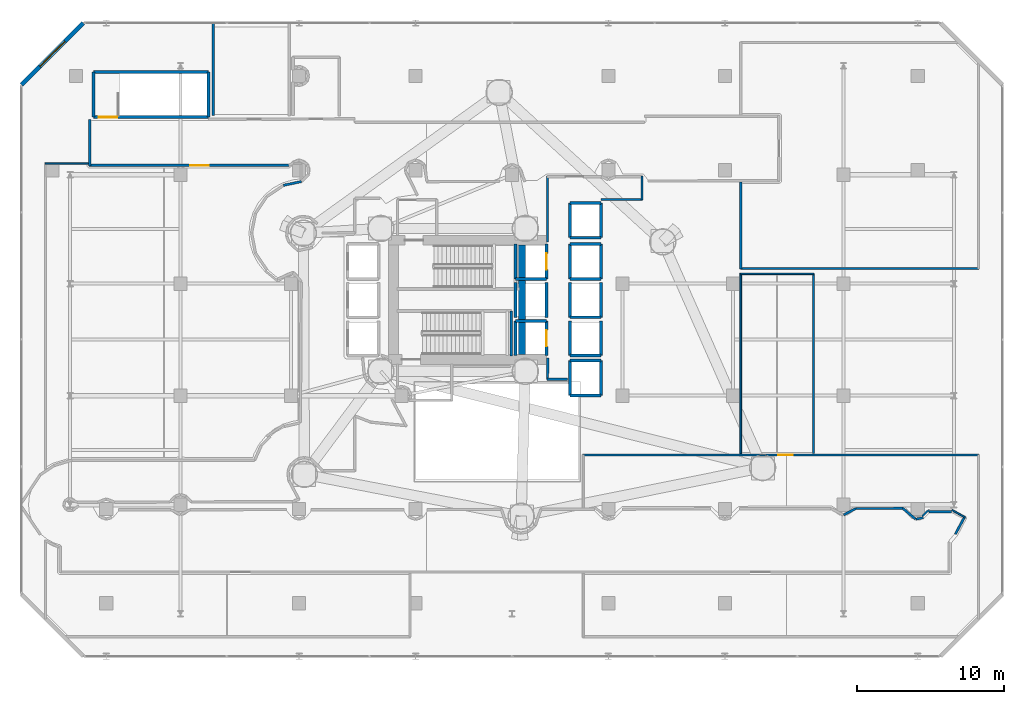
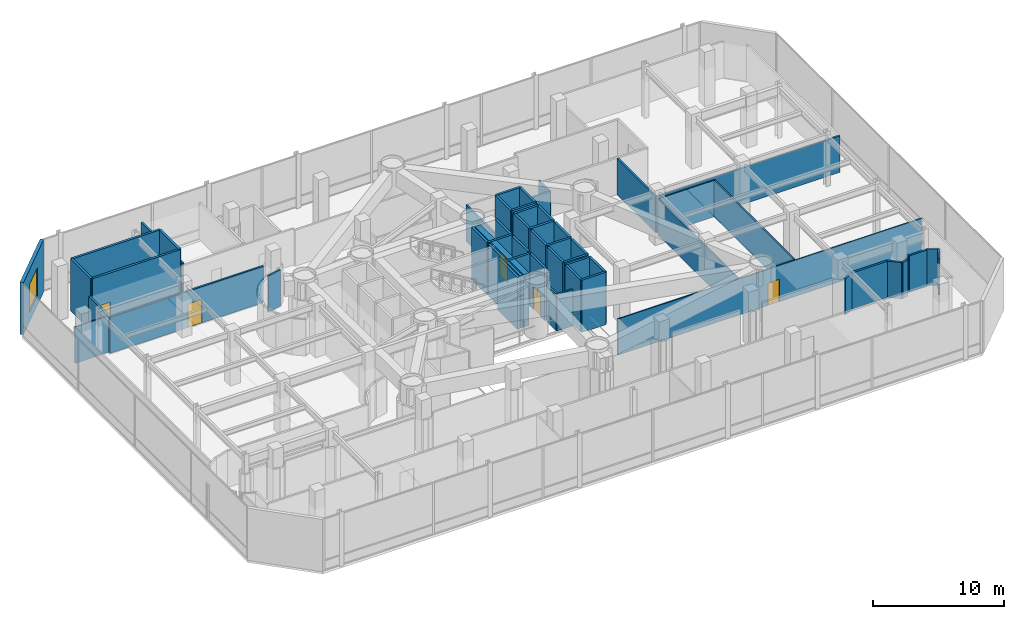
# One storey, part 32 of 40: 57 walls, 5 doors, 1 window, 6 openings.
"""IFC4 building model written with IfcOpenShell, lengths in metres."""

from ifc_helpers import new_model, si_unit, direction, frame, frame_2d, origin, place, context, subcontext, project, spatial, rectangle, extrude, material, layer, layer_set, type_object, element, fill, save


model = new_model("IFC4")

# Units and contexts
model_context = context("Model", 3, precision=1e-05, world=origin(), true_north=direction((0.0, 1.0)))
body_context = subcontext(model_context, "Body", "Model", "MODEL_VIEW")
ifc_project = project(units=[si_unit("LENGTHUNIT", "METRE"), si_unit("AREAUNIT", "SQUARE_METRE"), si_unit("VOLUMEUNIT", "CUBIC_METRE"), si_unit("PLANEANGLEUNIT", "RADIAN"), si_unit("MASSUNIT", "GRAM", prefix="KILO")], contexts=[model_context])

# Site, building, storey
site_placement = place(None, origin())
site = spatial("IfcSite", under=ifc_project, at=site_placement, CompositionType="ELEMENT")
building_placement = place(site_placement, origin())
building = spatial("IfcBuilding", under=site, at=building_placement, Name="Qianvela Tower", CompositionType="ELEMENT")
storey_placement = place(building_placement, frame((0.0, 0.0, 20.60009765625)))
storey = spatial("IfcBuildingStorey", under=building, at=storey_placement, Name="L04", CompositionType="ELEMENT", Elevation=20.60009765625)

# Wall, opening, window
ifc_material_1 = material(Name="Terracotta Cladding on Concrete C40", Category="masonry")
ifc_layer_1 = layer(ifc_material_1, 0.280029296875)
ifc_layer_set_1 = layer_set([ifc_layer_1], Name="Terracotta Cladding on Concrete C40")
wall_type_1 = type_object("IfcWallType", Name="TERRACOTTA-WALL-280", PredefinedType="SOLIDWALL", material=ifc_layer_set_1)
wall_1_placement = place(storey_placement, frame((8.39990234375, 47.5, 0.0), z_axis=(0.0, 0.0, 1.0), x_axis=(-0.707106781187, -0.707106781187, 0.0)))
wall_1 = element("IfcWall", 1, at=wall_1_placement, inside=storey, type_object=wall_type_1, Name="L04 Terracotta Corner Wall 6", PredefinedType="SOLIDWALL", context=body_context, shape_type="SweptSolid", body=[
    extrude(rectangle(XDim=5.939697265625, YDim=0.280029296875, at=frame_2d((2.9697265625, 0.0))), origin(), (0.0, 0.0, 1.0), 4.8798828125),
])
opening_1_placement = place(wall_1_placement, frame((1.769775390625, 0.0, 0.89990234375)))
opening_1 = element("IfcOpeningElement", 2, at=opening_1_placement, cuts=wall_1, Name="Opening W-05", PredefinedType="OPENING", context=body_context, shape_type="SweptSolid", body=[
    extrude(rectangle(XDim=2.39990234375, YDim=2.60009765625, at=frame_2d((1.199951171875, 1.300048828125))), frame((0.0, 0.14990234375, 0.0), z_axis=(0.0, -1.0, 0.0), x_axis=(1.0, 0.0, 0.0)), (0.0, 0.0, 1.0), 0.300048828125),
])
ifc_material_2 = material(Name="Thermally Broken Aluminium and Low-E Glass", Category="aluminium")
window_type = type_object("IfcWindowType", Name="WIN-POD-2400x2600", PartitioningType="TRIPLE_PANEL_VERTICAL", PredefinedType="WINDOW", material=ifc_material_2)
window_placement = place(opening_1_placement, origin())
window = element("IfcWindow", 3, at=window_placement, inside=storey, type_object=window_type, Name="L04 Chamfer Facet Window 6.1", OverallHeight=2.60009765625, OverallWidth=2.39990234375, PartitioningType="SINGLE_PANEL", PredefinedType="WINDOW", context=body_context, shape_type="SweptSolid", body=[
    extrude(rectangle(XDim=2.39990234375, YDim=2.60009765625, at=frame_2d((1.199951171875, 1.300048828125))), frame((0.0, 0.030029296875, 0.0), z_axis=(0.0, -1.0, 0.0), x_axis=(1.0, 0.0, 0.0)), (0.0, 0.0, 1.0), 0.06005859375),
])
fill(opening_1, window)

# Walls
ifc_material_3 = material(Name="Concrete C60", Category="concrete")
ifc_layer_2 = layer(ifc_material_3, 0.64990234375)
ifc_layer_set_2 = layer_set([ifc_layer_2], Name="Concrete C60")
wall_type_2 = type_object("IfcWallType", Name="WT-CORE-650", PredefinedType="SHEAR", material=ifc_layer_set_2)
wall_2_placement = place(storey_placement, frame((38.179931640625, 24.97998046875, 0.0), z_axis=(0.0, 0.0, 1.0), x_axis=(0.0, 1.0, 0.0)))
element("IfcWall", 4, at=wall_2_placement, inside=storey, type_object=wall_type_2, Name="L04 East Spine Core Shear Wall", PredefinedType="SHEAR", context=body_context, shape_type="SweptSolid", body=[
    extrude(rectangle(XDim=7.43994140625, YDim=0.5, at=frame_2d((3.719970703125, 0.0))), origin(), (0.0, 0.0, 1.0), 4.8798828125),
])
ifc_material_4 = material(Name="Fire-Rated Gypsum and Concrete Block", Category="concrete")
ifc_layer_3 = layer(ifc_material_4, 0.159912109375)
ifc_layer_set_3 = layer_set([ifc_layer_3], Name="Fire-Rated Gypsum and Concrete Block")
wall_type_3 = type_object("IfcWallType", Name="WT-CORR-160", PredefinedType="PARTITIONING", material=ifc_layer_set_3)
wall_3_placement = place(storey_placement, frame((39.910888671875, 32.639892578125, 0.0), z_axis=(0.0, 0.0, 1.0), x_axis=(0.0, 1.0, 0.0)))
element("IfcWall", 5, at=wall_3_placement, inside=storey, type_object=wall_type_3, Name="L04 Partition 14", PredefinedType="PARTITIONING", context=body_context, shape_type="SweptSolid", body=[
    extrude(rectangle(XDim=4.460205078125, YDim=0.159912109375, at=frame_2d((2.22998046875, 0.0))), origin(), (0.0, 0.0, 1.0), 3.39990234375),
])
wall_4_placement = place(storey_placement, frame((46.3291015625, 37.10009765625, 0.0), z_axis=(0.0, 0.0, 1.0), x_axis=(0.0, -1.0, 0.0)))
element("IfcWall", 6, at=wall_4_placement, inside=storey, type_object=wall_type_3, Name="L04 Partition 19", PredefinedType="PARTITIONING", context=body_context, shape_type="SweptSolid", body=[
    extrude(rectangle(XDim=1.6201171875, YDim=0.159912109375, at=frame_2d((0.81005859375, 0.0))), origin(), (0.0, 0.0, 1.0), 3.39990234375),
])
wall_5_placement = place(storey_placement, frame((46.360107421875, 35.510986328125, 0.0), z_axis=(0.0, 0.0, 1.0), x_axis=(-1.0, 0.0, 0.0)))
element("IfcWall", 7, at=wall_5_placement, inside=storey, type_object=wall_type_3, Name="L04 Partition 20 seg 1", PredefinedType="PARTITIONING", context=body_context, shape_type="SweptSolid", body=[
    extrude(rectangle(XDim=2.81005859375, YDim=0.159912109375, at=frame_2d((1.405029296875, 0.0))), origin(), (0.0, 0.0, 1.0), 3.3779296875),
])
wall_6_placement = place(storey_placement, frame((41.280029296875, 23.31103515625, 0.0), z_axis=(0.0, 0.0, 1.0), x_axis=(-1.0, 0.0, 0.0)))
element("IfcWall", 8, at=wall_6_placement, inside=storey, type_object=wall_type_3, Name="L04 Partition 22", PredefinedType="PARTITIONING", context=body_context, shape_type="SweptSolid", body=[
    extrude(rectangle(XDim=1.400146484375, YDim=0.159912109375, at=frame_2d((0.7001953125, 0.0))), origin(), (0.0, 0.0, 1.0), 3.39990234375),
])
wall_7_placement = place(storey_placement, frame((39.910888671875, 23.27978515625, 0.0), z_axis=(0.0, 0.0, 1.0), x_axis=(0.009397771291, 0.999955839972, 0.0)))
element("IfcWall", 9, at=wall_7_placement, inside=storey, type_object=wall_type_3, Name="L04 Partition 23", PredefinedType="PARTITIONING", context=body_context, shape_type="SweptSolid", body=[
    extrude(rectangle(XDim=1.480712890625, YDim=0.159912109375, at=frame_2d((0.740234375, 0.0))), origin(), (0.0, 0.0, 1.0), 3.39990234375),
])
wall_8_placement = place(storey_placement, frame((60.014404296875, 14.1025390625, 0.0), z_axis=(0.0, 0.0, 1.0), x_axis=(0.885775798401, 0.464113385895, 0.0)))
element("IfcWall", 10, at=wall_8_placement, inside=storey, type_object=wall_type_3, Name="L04 Partition 77", PredefinedType="PARTITIONING", context=body_context, shape_type="SweptSolid", body=[
    extrude(rectangle(XDim=0.943115234375, YDim=0.159912109375, at=frame_2d((0.4716796875, 0.0))), origin(), (0.0, 0.0, 1.0), 3.39990234375),
])
wall_9_placement = place(storey_placement, frame((60.83544921875, 14.536865234375, 0.0), z_axis=(0.0, 0.0, 1.0), x_axis=(0.99999684785, 0.002510834359, 0.0)))
element("IfcWall", 11, at=wall_9_placement, inside=storey, type_object=wall_type_3, Name="L04 Partition 78", PredefinedType="PARTITIONING", context=body_context, shape_type="SweptSolid", body=[
    extrude(rectangle(XDim=3.208740234375, YDim=0.159912109375, at=frame_2d((1.6044921875, 0.0))), origin(), (0.0, 0.0, 1.0), 3.39990234375),
])
wall_10_placement = place(storey_placement, frame((64.02392578125, 14.55224609375, 0.0), z_axis=(0.0, 0.0, 1.0), x_axis=(0.764638438323, -0.644459508921, 0.0)))
element("IfcWall", 12, at=wall_10_placement, inside=storey, type_object=wall_type_3, Name="L04 Partition 79", PredefinedType="PARTITIONING", context=body_context, shape_type="SweptSolid", body=[
    extrude(rectangle(XDim=1.1376953125, YDim=0.159912109375, at=frame_2d((0.56884765625, 0.0))), origin(), (0.0, 0.0, 1.0), 3.39990234375),
])
wall_11_placement = place(storey_placement, frame((64.919921875, 13.8125, 0.0), z_axis=(0.0, 0.0, 1.0), x_axis=(0.980763363144, 0.195200475189, 0.0)))
element("IfcWall", 13, at=wall_11_placement, inside=storey, type_object=wall_type_3, Name="L04 Partition 80", PredefinedType="PARTITIONING", context=body_context, shape_type="SweptSolid", body=[
    extrude(rectangle(XDim=0.5126953125, YDim=0.159912109375, at=frame_2d((0.25634765625, 0.0))), origin(), (0.0, 0.0, 1.0), 3.39990234375),
])
wall_12_placement = place(storey_placement, frame((65.820556640625, 14.3154296875, 0.0), z_axis=(0.0, 0.0, 1.0), x_axis=(0.99999673472, 0.002555493971, 0.0)))
element("IfcWall", 14, at=wall_12_placement, inside=storey, type_object=wall_type_3, Name="L04 Partition 81", PredefinedType="PARTITIONING", context=body_context, shape_type="SweptSolid", body=[
    extrude(rectangle(XDim=1.528564453125, YDim=0.159912109375, at=frame_2d((0.76416015625, 0.0))), origin(), (0.0, 0.0, 1.0), 3.39990234375),
])
wall_13_placement = place(storey_placement, frame((68.18798828125, 13.90185546875, 0.0), z_axis=(0.0, 0.0, 1.0), x_axis=(-0.471494358331, -0.88186907762, 0.0)))
element("IfcWall", 15, at=wall_13_placement, inside=storey, type_object=wall_type_3, Name="L04 Partition 83", PredefinedType="PARTITIONING", context=body_context, shape_type="SweptSolid", body=[
    extrude(rectangle(XDim=1.25830078125, YDim=0.159912109375, at=frame_2d((0.629150390625, 0.0))), origin(), (0.0, 0.0, 1.0), 3.39990234375),
])
wall_14_placement = place(storey_placement, frame((21.98583984375, 36.477294921875, 0.0), z_axis=(0.0, 0.0, 1.0), x_axis=(0.978580947187, 0.205862405023, 0.0)))
element("IfcWall", 16, at=wall_14_placement, inside=storey, type_object=wall_type_3, Name="L04 Partition 108", PredefinedType="PARTITIONING", context=body_context, shape_type="SweptSolid", body=[
    extrude(rectangle(XDim=1.246337890625, YDim=0.159912109375, at=frame_2d((0.623046875, 0.0))), origin(), (0.0, 0.0, 1.0), 3.39990234375),
])

# Wall, opening, door
wall_15_placement = place(storey_placement, frame((22.359130859375, 37.8310546875, 0.0), z_axis=(0.0, 0.0, 1.0), x_axis=(-1.0, 0.0, 0.0)))
wall_15 = element("IfcWall", 17, at=wall_15_placement, inside=storey, type_object=wall_type_3, Name="L04 Partition 113", PredefinedType="PARTITIONING", context=body_context, shape_type="SweptSolid", body=[
    extrude(rectangle(XDim=13.55908203125, YDim=0.159912109375, at=frame_2d((6.779541015625, 0.0))), origin(), (0.0, 0.0, 1.0), 3.39990234375),
])
opening_2_placement = place(wall_15_placement, frame((5.45458984375, 0.0, 0.0)))
opening_2 = element("IfcOpeningElement", 18, at=opening_2_placement, cuts=wall_15, Name="Opening D-LG1", PredefinedType="OPENING", context=body_context, shape_type="SweptSolid", body=[
    extrude(rectangle(XDim=1.25, YDim=2.199951171875, at=frame_2d((0.625, 1.10009765625))), frame((0.0, 0.08984375, 0.0), z_axis=(0.0, -1.0, 0.0), x_axis=(1.0, 0.0, 0.0)), (0.0, 0.0, 1.0), 0.179931640625),
])
ifc_material_5 = material(Name="Anodised Aluminium Acoustic Glass Door", Category="aluminium")
door_type_1 = type_object("IfcDoorType", Name="DT-LOUNGE-1250", OperationType="NOTDEFINED", PredefinedType="DOOR", material=ifc_material_5)
door_1_placement = place(opening_2_placement, origin())
door_1 = element("IfcDoor", 19, at=door_1_placement, inside=storey, type_object=door_type_1, Name="L04 Door L04 Music and Media Practice Lounge to L04 Concourse Gallery Corridor", OperationType="SINGLE_SWING_LEFT", OverallHeight=2.199951171875, OverallWidth=1.25, PredefinedType="DOOR", context=body_context, shape_type="SweptSolid", body=[
    extrude(rectangle(XDim=1.25, YDim=2.199951171875, at=frame_2d((0.625, 1.10009765625))), frame((0.0, 0.02490234375, 0.0), z_axis=(0.0, -1.0, 0.0), x_axis=(1.0, 0.0, 0.0)), (0.0, 0.0, 1.0), 0.050048828125),
])
fill(opening_2, door_1)

# Walls
wall_16_placement = place(storey_placement, frame((8.8310546875, 37.800048828125, 0.0), z_axis=(0.0, 0.0, 1.0), x_axis=(0.0, 1.0, 0.0)))
element("IfcWall", 20, at=wall_16_placement, inside=storey, type_object=wall_type_3, Name="L04 Partition 114", PredefinedType="PARTITIONING", context=body_context, shape_type="SweptSolid", body=[
    extrude(rectangle(XDim=3.159912109375, YDim=0.159912109375, at=frame_2d((1.580078125, 0.0))), origin(), (0.0, 0.0, 1.0), 3.39990234375),
])
wall_17_placement = place(storey_placement, frame((69.199951171875, 30.8310546875, 0.0), z_axis=(0.0, 0.0, 1.0), x_axis=(-1.0, 0.0, 0.0)))
element("IfcWall", 21, at=wall_17_placement, inside=storey, type_object=wall_type_3, Name="L04 Partition 237", PredefinedType="PARTITIONING", context=body_context, shape_type="SweptSolid", body=[
    extrude(rectangle(XDim=16.199951171875, YDim=0.159912109375, at=frame_2d((8.10009765625, 0.0))), origin(), (0.0, 0.0, 1.0), 3.39990234375),
])
wall_18_placement = place(storey_placement, frame((53.031005859375, 30.800048828125, 0.0), z_axis=(0.0, 0.0, 1.0), x_axis=(0.0, 1.0, 0.0)))
element("IfcWall", 22, at=wall_18_placement, inside=storey, type_object=wall_type_3, Name="L04 Partition 238", PredefinedType="PARTITIONING", context=body_context, shape_type="SweptSolid", body=[
    extrude(rectangle(XDim=5.8896484375, YDim=0.159912109375, at=frame_2d((2.94482421875, 0.0))), origin(), (0.0, 0.0, 1.0), 3.39990234375),
])
ifc_material_6 = material(Name="Lightweight Gypsum Room Partition")
ifc_layer_4 = layer(ifc_material_6, 0.10498046875)
ifc_layer_set_4 = layer_set([ifc_layer_4], Name="Lightweight Gypsum Room Partition")
wall_type_4 = type_object("IfcWallType", Name="WT-PART-105", PredefinedType="PARTITIONING", material=ifc_layer_set_4)
wall_19_placement = place(storey_placement, frame((68.29248046875, 13.914306640625, 0.0), z_axis=(0.0, 0.0, 1.0), x_axis=(-0.870515939283, 0.492140223365, 0.0)))
element("IfcWall", 23, at=wall_19_placement, inside=storey, type_object=wall_type_4, Name="L04 Partition 210", PredefinedType="PARTITIONING", context=body_context, shape_type="SweptSolid", body=[
    extrude(rectangle(XDim=1.066650390625, YDim=0.10498046875, at=frame_2d((0.533203125, 0.0))), origin(), (0.0, 0.0, 1.0), 3.39990234375),
])

# Wall, opening, door
wall_20_placement = place(storey_placement, frame((42.300048828125, 18.1689453125, 0.0), z_axis=(0.0, 0.0, 1.0), x_axis=(1.0, 0.0, 0.0)))
wall_20 = element("IfcWall", 24, at=wall_20_placement, inside=storey, type_object=wall_type_4, Name="L04 Partition 225", PredefinedType="PARTITIONING", context=body_context, shape_type="SweptSolid", body=[
    extrude(rectangle(XDim=26.89990234375, YDim=0.10498046875, at=frame_2d((13.449951171875, 0.0))), origin(), (0.0, 0.0, 1.0), 3.3779296875),
])
opening_3_placement = place(wall_20_placement, frame((13.27001953125, 0.0, 0.0)))
opening_3 = element("IfcOpeningElement", 25, at=opening_3_placement, cuts=wall_20, Name="Opening D-RM1", PredefinedType="OPENING", context=body_context, shape_type="SweptSolid", body=[
    extrude(rectangle(XDim=0.97998046875, YDim=2.10009765625, at=frame_2d((0.489990234375, 1.050048828125))), frame((0.0, 0.0625, 0.0), z_axis=(0.0, -1.0, 0.0), x_axis=(1.0, 0.0, 0.0)), (0.0, 0.0, 1.0), 0.125),
])
ifc_material_7 = material(Name="Solid Core Acoustic Timber Fire Door", Category="wood")
door_type_2 = type_object("IfcDoorType", Name="DT-ROOM-FD60", OperationType="NOTDEFINED", PredefinedType="DOOR", material=ifc_material_7)
door_2_placement = place(opening_3_placement, origin())
door_2 = element("IfcDoor", 26, at=door_2_placement, inside=storey, type_object=door_type_2, Name="L04 Door L04 Central Student Laundry to L04 Podium Sky Commons Lounge", OperationType="SINGLE_SWING_LEFT", OverallHeight=2.10009765625, OverallWidth=0.97998046875, PredefinedType="DOOR", context=body_context, shape_type="SweptSolid", body=[
    extrude(rectangle(XDim=0.97998046875, YDim=2.10009765625, at=frame_2d((0.489990234375, 1.050048828125))), frame((0.0, 0.02490234375, 0.0), z_axis=(0.0, -1.0, 0.0), x_axis=(1.0, 0.0, 0.0)), (0.0, 0.0, 1.0), 0.050048828125),
])
fill(opening_3, door_2)

# Walls
wall_21_placement = place(storey_placement, frame((53.0, 30.468994140625, 0.0), z_axis=(0.0, 0.0, 1.0), x_axis=(1.0, 0.0, 0.0)))
element("IfcWall", 27, at=wall_21_placement, inside=storey, type_object=wall_type_4, Name="L04 Partition 228", PredefinedType="PARTITIONING", context=body_context, shape_type="SweptSolid", body=[
    extrude(rectangle(XDim=5.0, YDim=0.10498046875, at=frame_2d((2.5, 0.0))), origin(), (0.0, 0.0, 1.0), 3.39990234375),
])
wall_22_placement = place(storey_placement, frame((5.800048828125, 37.968994140625, 0.0), z_axis=(0.0, 0.0, 1.0), x_axis=(1.0, 0.0, 0.0)))
element("IfcWall", 28, at=wall_22_placement, inside=storey, type_object=wall_type_4, Name="L04 Partition 255 seg 1", PredefinedType="PARTITIONING", context=body_context, shape_type="SweptSolid", body=[
    extrude(rectangle(XDim=2.93798828125, YDim=0.10498046875, at=frame_2d((1.468994140625, 0.0))), origin(), (0.0, 0.0, 1.0), 3.39990234375),
])
ifc_material_8 = material(Name="Insulated Gypsum Stud Partition")
ifc_layer_5 = layer(ifc_material_8, 0.1201171875)
ifc_layer_set_5 = layer_set([ifc_layer_5], Name="Insulated Gypsum Stud Partition")
wall_type_5 = type_object("IfcWallType", Name="WT-PART-120", PredefinedType="PARTITIONING", material=ifc_layer_set_5)
wall_23_placement = place(storey_placement, frame((65.78662109375, 14.4296875, 0.0), z_axis=(0.0, 0.0, 1.0), x_axis=(-0.719351793699, -0.694645950756, 0.0)))
element("IfcWall", 29, at=wall_23_placement, inside=storey, type_object=wall_type_5, Name="L04 Partition 212", PredefinedType="PARTITIONING", context=body_context, shape_type="SweptSolid", body=[
    extrude(rectangle(XDim=0.593017578125, YDim=0.1201171875, at=frame_2d((0.29638671875, 0.0))), origin(), (0.0, 0.0, 1.0), 3.39990234375),
])
wall_24_placement = place(storey_placement, frame((53.031005859375, 18.261962890625, 0.0), z_axis=(0.0, 0.0, 1.0), x_axis=(0.0, 1.0, 0.0)))
element("IfcWall", 30, at=wall_24_placement, inside=storey, type_object=wall_type_5, Name="L04 Partition 227", PredefinedType="PARTITIONING", context=body_context, shape_type="SweptSolid", body=[
    extrude(rectangle(XDim=12.238037109375, YDim=0.1201171875, at=frame_2d((6.119140625, 0.0))), origin(), (0.0, 0.0, 1.0), 3.3779296875),
])
ifc_material_9 = material(Name="Moisture-Resistant Acoustic Plumbing Wall")
ifc_layer_6 = layer(ifc_material_9, 0.175048828125)
ifc_layer_set_6 = layer_set([ifc_layer_6], Name="Moisture-Resistant Acoustic Plumbing Wall")
wall_type_6 = type_object("IfcWallType", Name="WT-PLUMB-175", PredefinedType="PLUMBINGWALL", material=ifc_layer_set_6)
wall_25_placement = place(storey_placement, frame((17.23095703125, 41.199951171875, 0.0), z_axis=(0.0, 0.0, 1.0), x_axis=(0.0, 1.0, 0.0)))
element("IfcWall", 31, at=wall_25_placement, inside=storey, type_object=wall_type_6, Name="L04 Partition 263", PredefinedType="PLUMBINGWALL", context=body_context, shape_type="SweptSolid", body=[
    extrude(rectangle(XDim=6.320068359375, YDim=0.175048828125, at=frame_2d((3.16015625, 0.0))), origin(), (0.0, 0.0, 1.0), 3.39990234375),
])
ifc_material_10 = material(Name="Acoustic Double Gypsum Stud Partition")
ifc_layer_7 = layer(ifc_material_10, 0.139892578125)
ifc_layer_set_7 = layer_set([ifc_layer_7], Name="Acoustic Double Gypsum Stud Partition")
wall_type_7 = type_object("IfcWallType", Name="WT-ROOM-140", PredefinedType="PARTITIONING", material=ifc_layer_set_7)
wall_26_placement = place(storey_placement, frame((57.968994140625, 30.5, 0.0), z_axis=(0.0, 0.0, 1.0), x_axis=(0.0, -1.0, 0.0)))
element("IfcWall", 32, at=wall_26_placement, inside=storey, type_object=wall_type_7, Name="L04 Partition 229", PredefinedType="PARTITIONING", context=body_context, shape_type="SweptSolid", body=[
    extrude(rectangle(XDim=12.238037109375, YDim=0.139892578125, at=frame_2d((6.119140625, 0.0))), origin(), (0.0, 0.0, 1.0), 3.39990234375),
])
ifc_material_11 = material(Name="Concrete C50", Category="concrete")
ifc_layer_8 = layer(ifc_material_11, 0.199951171875)
ifc_layer_set_8 = layer_set([ifc_layer_8], Name="Concrete C50")
wall_type_8 = type_object("IfcWallType", Name="WT-SHAFT-200", PredefinedType="SOLIDWALL", material=ifc_layer_set_8)
wall_27_placement = place(storey_placement, frame((37.449951171875, 24.89990234375, 0.0), z_axis=(0.0, 0.0, 1.0), x_axis=(0.0, 1.0, 0.0)))
element("IfcWall", 33, at=wall_27_placement, inside=storey, type_object=wall_type_8, Name="L04 Stair ST-2 East Wall", PredefinedType="SOLIDWALL", context=body_context, shape_type="SweptSolid", body=[
    extrude(rectangle(XDim=3.06005859375, YDim=0.199951171875, at=frame_2d((1.530029296875, 0.0))), origin(), (0.0, 0.0, 1.0), 4.8798828125),
])

# Wall, opening, door
wall_28_placement = place(storey_placement, frame((9.10009765625, 41.10009765625, 0.0), z_axis=(0.0, 0.0, 1.0), x_axis=(1.0, 0.0, 0.0)))
wall_28 = element("IfcWall", 34, at=wall_28_placement, inside=storey, type_object=wall_type_8, Name="L04 Stair ST-3 South Wall", PredefinedType="SOLIDWALL", context=body_context, shape_type="SweptSolid", body=[
    extrude(rectangle(XDim=7.7998046875, YDim=0.199951171875, at=frame_2d((3.89990234375, 0.0))), origin(), (0.0, 0.0, 1.0), 4.8798828125),
])
opening_4_placement = place(wall_28_placement, frame((0.360107421875, 0.0, 0.0)))
opening_4 = element("IfcOpeningElement", 35, at=opening_4_placement, cuts=wall_28, Name="Opening D-ST1", PredefinedType="OPENING", context=body_context, shape_type="SweptSolid", body=[
    extrude(rectangle(XDim=1.25, YDim=2.14990234375, at=frame_2d((0.625, 1.074951171875))), frame((0.0, 0.10986328125, 0.0), z_axis=(0.0, -1.0, 0.0), x_axis=(1.0, 0.0, 0.0)), (0.0, 0.0, 1.0), 0.219970703125),
])
ifc_material_12 = material(Name="Galvanised Fire Steel Q355B", Category="steel")
door_type_3 = type_object("IfcDoorType", Name="DT-STAIR-FD90", OperationType="NOTDEFINED", PredefinedType="DOOR", material=ifc_material_12)
door_3_placement = place(opening_4_placement, origin())
door_3 = element("IfcDoor", 36, at=door_3_placement, inside=storey, type_object=door_type_3, Name="L04 Stair ST-3 Exit Door", OperationType="SINGLE_SWING_LEFT", OverallHeight=2.14990234375, OverallWidth=1.25, PredefinedType="DOOR", context=body_context, shape_type="SweptSolid", body=[
    extrude(rectangle(XDim=1.25, YDim=2.14990234375, at=frame_2d((0.625, 1.074951171875))), frame((0.0, 0.02490234375, 0.0), z_axis=(0.0, -1.0, 0.0), x_axis=(1.0, 0.0, 0.0)), (0.0, 0.0, 1.0), 0.050048828125),
])
fill(opening_4, door_3)

# Walls
wall_29_placement = place(storey_placement, frame((9.10009765625, 44.159912109375, 0.0), z_axis=(0.0, 0.0, 1.0), x_axis=(1.0, 0.0, 0.0)))
element("IfcWall", 37, at=wall_29_placement, inside=storey, type_object=wall_type_8, Name="L04 Stair ST-3 North Wall", PredefinedType="SOLIDWALL", context=body_context, shape_type="SweptSolid", body=[
    extrude(rectangle(XDim=7.7998046875, YDim=0.199951171875, at=frame_2d((3.89990234375, 0.0))), origin(), (0.0, 0.0, 1.0), 4.8798828125),
])
for number, where, z_axis, x_axis, name in (
    (38, (9.10009765625, 41.10009765625, 0.0), (0.0, 0.0, 1.0), (0.0, 1.0, 0.0), "L04 Stair ST-3 West Wall"),
    (39, (16.89990234375, 41.10009765625, 0.0), (0.0, 0.0, 1.0), (0.0, 1.0, 0.0), "L04 Stair ST-3 East Wall"),
):
    element("IfcWall", number, at=place(storey_placement, frame(where, z_axis=z_axis, x_axis=x_axis)), inside=storey, type_object=wall_type_8, Name=name, PredefinedType="SOLIDWALL", context=body_context, shape_type="SweptSolid", body=[
        extrude(rectangle(XDim=3.059814453125, YDim=0.199951171875, at=frame_2d((1.52978515625, 0.0))), origin(), (0.0, 0.0, 1.0), 4.8798828125),
    ])

# Wall, opening, door
wall_30_placement = place(storey_placement, frame((39.85009765625, 30.1201171875, 0.0), z_axis=(0.0, 0.0, 1.0), x_axis=(0.0, 1.0, 0.0)))
wall_30 = element("IfcWall", 40, at=wall_30_placement, inside=storey, type_object=wall_type_8, Name="L04 Lift FL-1 E Shaft Wall", PredefinedType="SOLIDWALL", context=body_context, shape_type="SweptSolid", body=[
    extrude(rectangle(XDim=2.35986328125, YDim=0.199951171875, at=frame_2d((1.179931640625, 0.0))), origin(), (0.0, 0.0, 1.0), 4.8798828125),
])
opening_5_placement = place(wall_30_placement, frame((0.6298828125, 0.0, 0.0)))
opening_5 = element("IfcOpeningElement", 41, at=opening_5_placement, cuts=wall_30, Name="Opening LD-01", PredefinedType="OPENING", context=body_context, shape_type="SweptSolid", body=[
    extrude(rectangle(XDim=1.10009765625, YDim=2.14990234375, at=frame_2d((0.550048828125, 1.074951171875))), frame((0.0, 0.10986328125, 0.0), z_axis=(0.0, -1.0, 0.0), x_axis=(1.0, 0.0, 0.0)), (0.0, 0.0, 1.0), 0.219970703125),
])
ifc_material_13 = material(Name="Brushed Stainless Steel Lift Landing Door", Category="steel")
door_type_4 = type_object("IfcDoorType", Name="DT-LIFT-SLIDE-1100", OperationType="SLIDING_TO_LEFT", PredefinedType="DOOR", material=ifc_material_13)
door_4_placement = place(opening_5_placement, origin())
door_4 = element("IfcDoor", 42, at=door_4_placement, inside=storey, type_object=door_type_4, Name="L04 Lift FL-1 Sliding Landing Door", OperationType="SLIDING_TO_LEFT", OverallHeight=2.14990234375, OverallWidth=1.10009765625, PredefinedType="DOOR", context=body_context, shape_type="SweptSolid", body=[
    extrude(rectangle(XDim=1.10009765625, YDim=2.14990234375, at=frame_2d((0.550048828125, 1.074951171875))), frame((0.0, 0.02490234375, 0.0), z_axis=(0.0, -1.0, 0.0), x_axis=(1.0, 0.0, 0.0)), (0.0, 0.0, 1.0), 0.050048828125),
])
fill(opening_5, door_4)

# Walls
wall_31_placement = place(storey_placement, frame((37.75, 30.1201171875, 0.0), z_axis=(0.0, 0.0, 1.0), x_axis=(0.0, 1.0, 0.0)))
element("IfcWall", 43, at=wall_31_placement, inside=storey, type_object=wall_type_8, Name="L04 Lift FL-1 W Shaft Wall", PredefinedType="SOLIDWALL", context=body_context, shape_type="SweptSolid", body=[
    extrude(rectangle(XDim=2.35986328125, YDim=0.199951171875, at=frame_2d((1.179931640625, 0.0))), origin(), (0.0, 0.0, 1.0), 4.8798828125),
])
wall_32_placement = place(storey_placement, frame((37.75, 30.1201171875, 0.0), z_axis=(0.0, 0.0, 1.0), x_axis=(1.0, 0.0, 0.0)))
element("IfcWall", 44, at=wall_32_placement, inside=storey, type_object=wall_type_8, Name="L04 Lift FL-1 S Shaft Wall", PredefinedType="SOLIDWALL", context=body_context, shape_type="SweptSolid", body=[
    extrude(rectangle(XDim=2.10009765625, YDim=0.199951171875, at=frame_2d((1.050048828125, 0.0))), origin(), (0.0, 0.0, 1.0), 4.8798828125),
])

# Wall, opening, door
wall_33_placement = place(storey_placement, frame((39.85009765625, 24.919921875, 0.0), z_axis=(0.0, 0.0, 1.0), x_axis=(0.0, 1.0, 0.0)))
wall_33 = element("IfcWall", 45, at=wall_33_placement, inside=storey, type_object=wall_type_8, Name="L04 Lift FL-2 E Shaft Wall", PredefinedType="SOLIDWALL", context=body_context, shape_type="SweptSolid", body=[
    extrude(rectangle(XDim=2.360107421875, YDim=0.199951171875, at=frame_2d((1.18017578125, 0.0))), origin(), (0.0, 0.0, 1.0), 4.8798828125),
])
opening_6_placement = place(wall_33_placement, frame((0.6298828125, 0.0, 0.0)))
opening_6 = element("IfcOpeningElement", 46, at=opening_6_placement, cuts=wall_33, Name="Opening LD-01", PredefinedType="OPENING", context=body_context, shape_type="SweptSolid", body=[
    extrude(rectangle(XDim=1.10009765625, YDim=2.14990234375, at=frame_2d((0.550048828125, 1.074951171875))), frame((0.0, 0.10986328125, 0.0), z_axis=(0.0, -1.0, 0.0), x_axis=(1.0, 0.0, 0.0)), (0.0, 0.0, 1.0), 0.219970703125),
])
door_5_placement = place(opening_6_placement, origin())
door_5 = element("IfcDoor", 47, at=door_5_placement, inside=storey, type_object=door_type_4, Name="L04 Lift FL-2 Sliding Landing Door", OperationType="SLIDING_TO_LEFT", OverallHeight=2.14990234375, OverallWidth=1.10009765625, PredefinedType="DOOR", context=body_context, shape_type="SweptSolid", body=[
    extrude(rectangle(XDim=1.10009765625, YDim=2.14990234375, at=frame_2d((0.550048828125, 1.074951171875))), frame((0.0, 0.02490234375, 0.0), z_axis=(0.0, -1.0, 0.0), x_axis=(1.0, 0.0, 0.0)), (0.0, 0.0, 1.0), 0.050048828125),
])
fill(opening_6, door_5)

# Walls
wall_34_placement = place(storey_placement, frame((37.75, 24.919921875, 0.0), z_axis=(0.0, 0.0, 1.0), x_axis=(0.0, 1.0, 0.0)))
element("IfcWall", 48, at=wall_34_placement, inside=storey, type_object=wall_type_8, Name="L04 Lift FL-2 W Shaft Wall", PredefinedType="SOLIDWALL", context=body_context, shape_type="SweptSolid", body=[
    extrude(rectangle(XDim=2.360107421875, YDim=0.199951171875, at=frame_2d((1.18017578125, 0.0))), origin(), (0.0, 0.0, 1.0), 4.8798828125),
])
wall_35_placement = place(storey_placement, frame((37.75, 27.280029296875, 0.0), z_axis=(0.0, 0.0, 1.0), x_axis=(1.0, 0.0, 0.0)))
element("IfcWall", 49, at=wall_35_placement, inside=storey, type_object=wall_type_8, Name="L04 Lift FL-2 N Shaft Wall", PredefinedType="SOLIDWALL", context=body_context, shape_type="SweptSolid", body=[
    extrude(rectangle(XDim=2.10009765625, YDim=0.199951171875, at=frame_2d((1.050048828125, 0.0))), origin(), (0.0, 0.0, 1.0), 4.8798828125),
])
for number, where, z_axis, x_axis, name in (
    (50, (43.550048828125, 30.1201171875, 0.0), (0.0, 0.0, 1.0), (0.0, 1.0, 0.0), "L04 Lift PL-M1 E Shaft Wall"),
    (51, (41.449951171875, 30.1201171875, 0.0), (0.0, 0.0, 1.0), (0.0, 1.0, 0.0), "L04 Lift PL-M1 W Shaft Wall"),
):
    element("IfcWall", number, at=place(storey_placement, frame(where, z_axis=z_axis, x_axis=x_axis)), inside=storey, type_object=wall_type_8, Name=name, PredefinedType="SOLIDWALL", context=body_context, shape_type="SweptSolid", body=[
        extrude(rectangle(XDim=2.35986328125, YDim=0.199951171875, at=frame_2d((1.179931640625, 0.0))), origin(), (0.0, 0.0, 1.0), 4.8798828125),
    ])
for number, where, z_axis, x_axis, name in (
    (52, (41.449951171875, 32.47998046875, 0.0), (0.0, 0.0, 1.0), (1.0, 0.0, 0.0), "L04 Lift PL-M1 N Shaft Wall"),
    (53, (41.449951171875, 30.1201171875, 0.0), (0.0, 0.0, 1.0), (1.0, 0.0, 0.0), "L04 Lift PL-M1 S Shaft Wall"),
):
    element("IfcWall", number, at=place(storey_placement, frame(where, z_axis=z_axis, x_axis=x_axis)), inside=storey, type_object=wall_type_8, Name=name, PredefinedType="SOLIDWALL", context=body_context, shape_type="SweptSolid", body=[
        extrude(rectangle(XDim=2.10009765625, YDim=0.199951171875, at=frame_2d((1.050048828125, 0.0))), origin(), (0.0, 0.0, 1.0), 4.8798828125),
    ])
for number, where, z_axis, x_axis, name in (
    (54, (43.550048828125, 27.52001953125, 0.0), (0.0, 0.0, 1.0), (0.0, 1.0, 0.0), "L04 Lift PL-M2 E Shaft Wall"),
    (55, (41.449951171875, 27.52001953125, 0.0), (0.0, 0.0, 1.0), (0.0, 1.0, 0.0), "L04 Lift PL-M2 W Shaft Wall"),
):
    element("IfcWall", number, at=place(storey_placement, frame(where, z_axis=z_axis, x_axis=x_axis)), inside=storey, type_object=wall_type_8, Name=name, PredefinedType="SOLIDWALL", context=body_context, shape_type="SweptSolid", body=[
        extrude(rectangle(XDim=2.35986328125, YDim=0.199951171875, at=frame_2d((1.179931640625, 0.0))), origin(), (0.0, 0.0, 1.0), 4.8798828125),
    ])
wall_36_placement = place(storey_placement, frame((41.449951171875, 27.52001953125, 0.0), z_axis=(0.0, 0.0, 1.0), x_axis=(1.0, 0.0, 0.0)))
element("IfcWall", 56, at=wall_36_placement, inside=storey, type_object=wall_type_8, Name="L04 Lift PL-M2 S Shaft Wall", PredefinedType="SOLIDWALL", context=body_context, shape_type="SweptSolid", body=[
    extrude(rectangle(XDim=2.10009765625, YDim=0.199951171875, at=frame_2d((1.050048828125, 0.0))), origin(), (0.0, 0.0, 1.0), 4.8798828125),
])
for number, where, z_axis, x_axis, name in (
    (57, (43.550048828125, 24.919921875, 0.0), (0.0, 0.0, 1.0), (0.0, 1.0, 0.0), "L04 Lift PL-M3 E Shaft Wall"),
    (58, (41.449951171875, 24.919921875, 0.0), (0.0, 0.0, 1.0), (0.0, 1.0, 0.0), "L04 Lift PL-M3 W Shaft Wall"),
):
    element("IfcWall", number, at=place(storey_placement, frame(where, z_axis=z_axis, x_axis=x_axis)), inside=storey, type_object=wall_type_8, Name=name, PredefinedType="SOLIDWALL", context=body_context, shape_type="SweptSolid", body=[
        extrude(rectangle(XDim=2.360107421875, YDim=0.199951171875, at=frame_2d((1.18017578125, 0.0))), origin(), (0.0, 0.0, 1.0), 4.8798828125),
    ])
wall_37_placement = place(storey_placement, frame((41.449951171875, 24.919921875, 0.0), z_axis=(0.0, 0.0, 1.0), x_axis=(1.0, 0.0, 0.0)))
element("IfcWall", 59, at=wall_37_placement, inside=storey, type_object=wall_type_8, Name="L04 Lift PL-M3 S Shaft Wall", PredefinedType="SOLIDWALL", context=body_context, shape_type="SweptSolid", body=[
    extrude(rectangle(XDim=2.10009765625, YDim=0.199951171875, at=frame_2d((1.050048828125, 0.0))), origin(), (0.0, 0.0, 1.0), 4.8798828125),
])
for number, where, z_axis, x_axis, name in (
    (60, (39.85009765625, 27.52001953125, 0.0), (0.0, 0.0, 1.0), (0.0, 1.0, 0.0), "L04 Lift PL-H1 E Shaft Wall"),
    (61, (37.75, 27.52001953125, 0.0), (0.0, 0.0, 1.0), (0.0, 1.0, 0.0), "L04 Lift PL-H1 W Shaft Wall"),
):
    element("IfcWall", number, at=place(storey_placement, frame(where, z_axis=z_axis, x_axis=x_axis)), inside=storey, type_object=wall_type_8, Name=name, PredefinedType="SOLIDWALL", context=body_context, shape_type="SweptSolid", body=[
        extrude(rectangle(XDim=2.35986328125, YDim=0.199951171875, at=frame_2d((1.179931640625, 0.0))), origin(), (0.0, 0.0, 1.0), 4.8798828125),
    ])
for number, where, z_axis, x_axis, name in (
    (62, (43.550048828125, 22.219970703125, 0.0), (0.0, 0.0, 1.0), (0.0, 1.0, 0.0), "L04 Lift PL-H2 E Shaft Wall"),
    (63, (41.449951171875, 22.219970703125, 0.0), (0.0, 0.0, 1.0), (0.0, 1.0, 0.0), "L04 Lift PL-H2 W Shaft Wall"),
):
    element("IfcWall", number, at=place(storey_placement, frame(where, z_axis=z_axis, x_axis=x_axis)), inside=storey, type_object=wall_type_8, Name=name, PredefinedType="SOLIDWALL", context=body_context, shape_type="SweptSolid", body=[
        extrude(rectangle(XDim=2.360107421875, YDim=0.199951171875, at=frame_2d((1.18017578125, 0.0))), origin(), (0.0, 0.0, 1.0), 4.8798828125),
    ])
for number, where, z_axis, x_axis, name in (
    (64, (41.449951171875, 24.580078125, 0.0), (0.0, 0.0, 1.0), (1.0, 0.0, 0.0), "L04 Lift PL-H2 N Shaft Wall"),
    (65, (41.449951171875, 22.219970703125, 0.0), (0.0, 0.0, 1.0), (1.0, 0.0, 0.0), "L04 Lift PL-H2 S Shaft Wall"),
):
    element("IfcWall", number, at=place(storey_placement, frame(where, z_axis=z_axis, x_axis=x_axis)), inside=storey, type_object=wall_type_8, Name=name, PredefinedType="SOLIDWALL", context=body_context, shape_type="SweptSolid", body=[
        extrude(rectangle(XDim=2.10009765625, YDim=0.199951171875, at=frame_2d((1.050048828125, 0.0))), origin(), (0.0, 0.0, 1.0), 4.8798828125),
    ])
for number, where, z_axis, x_axis, name in (
    (66, (43.550048828125, 32.919921875, 0.0), (0.0, 0.0, 1.0), (0.0, 1.0, 0.0), "L04 Lift PL-H3 E Shaft Wall"),
    (67, (41.449951171875, 32.919921875, 0.0), (0.0, 0.0, 1.0), (0.0, 1.0, 0.0), "L04 Lift PL-H3 W Shaft Wall"),
):
    element("IfcWall", number, at=place(storey_placement, frame(where, z_axis=z_axis, x_axis=x_axis)), inside=storey, type_object=wall_type_8, Name=name, PredefinedType="SOLIDWALL", context=body_context, shape_type="SweptSolid", body=[
        extrude(rectangle(XDim=2.360107421875, YDim=0.199951171875, at=frame_2d((1.18017578125, 0.0))), origin(), (0.0, 0.0, 1.0), 4.8798828125),
    ])
for number, where, z_axis, x_axis, name in (
    (68, (41.449951171875, 35.280029296875, 0.0), (0.0, 0.0, 1.0), (1.0, 0.0, 0.0), "L04 Lift PL-H3 N Shaft Wall"),
    (69, (41.449951171875, 32.919921875, 0.0), (0.0, 0.0, 1.0), (1.0, 0.0, 0.0), "L04 Lift PL-H3 S Shaft Wall"),
):
    element("IfcWall", number, at=place(storey_placement, frame(where, z_axis=z_axis, x_axis=x_axis)), inside=storey, type_object=wall_type_8, Name=name, PredefinedType="SOLIDWALL", context=body_context, shape_type="SweptSolid", body=[
        extrude(rectangle(XDim=2.10009765625, YDim=0.199951171875, at=frame_2d((1.050048828125, 0.0))), origin(), (0.0, 0.0, 1.0), 4.8798828125),
    ])

save(model, "model.ifc")
